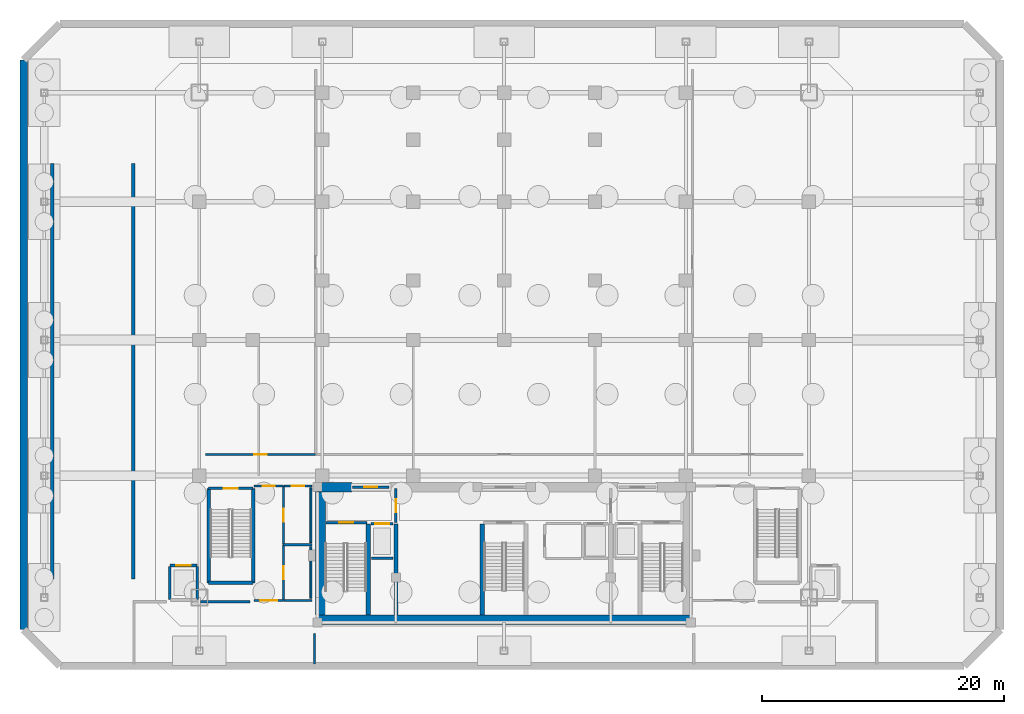
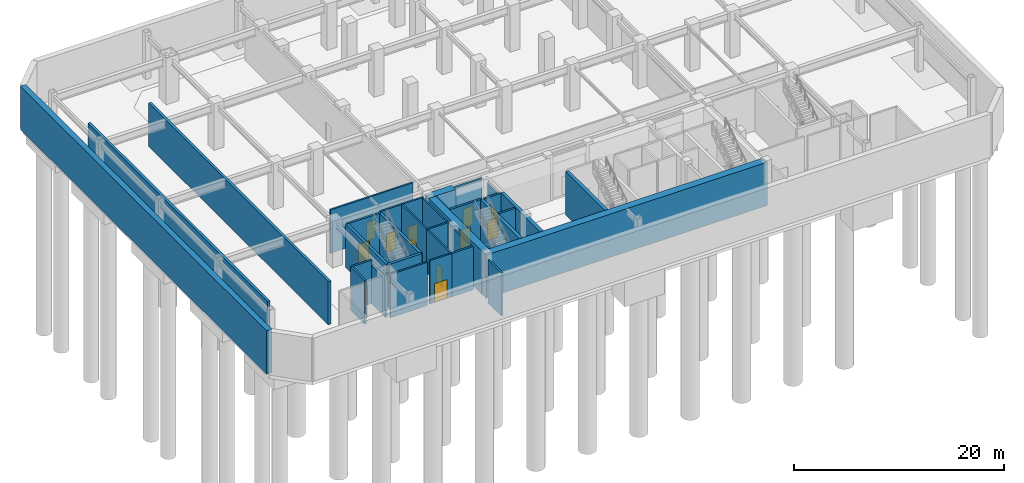
# One storey, part 4 of 10: 33 walls, 12 doors, 12 openings.
"""IFC4 building model written with IfcOpenShell, lengths in metres."""

from ifc_helpers import new_model, si_unit, direction, frame, frame_2d, origin, place, context, subcontext, project, spatial, rectangle, extrude, material, layer, layer_set, type_object, element, fill, save


model = new_model("IFC4")

# Units and contexts
model_context = context("Model", 3, precision=1e-05, world=origin(), true_north=direction((0.0, 1.0)))
body_context = subcontext(model_context, "Body", "Model", "MODEL_VIEW")
ifc_project = project(units=[si_unit("LENGTHUNIT", "METRE"), si_unit("AREAUNIT", "SQUARE_METRE"), si_unit("VOLUMEUNIT", "CUBIC_METRE"), si_unit("PLANEANGLEUNIT", "RADIAN"), si_unit("MASSUNIT", "GRAM", prefix="KILO")], contexts=[model_context])

# Site, building, storey
site_placement = place(None, origin())
site = spatial("IfcSite", under=ifc_project, at=site_placement, CompositionType="ELEMENT")
building_placement = place(site_placement, origin())
building = spatial("IfcBuilding", under=site, at=building_placement, Name="Ventersveld Concourse Tower", CompositionType="ELEMENT")
storey_placement = place(building_placement, frame((0.0, 0.0, -10.800048828125)))
storey = spatial("IfcBuildingStorey", under=building, at=storey_placement, Name="B02", CompositionType="ELEMENT", Elevation=-10.800048828125)

# Walls
ifc_material_1 = material(Name="Concrete C60/75", Category="concrete")
ifc_layer_1 = layer(ifc_material_1, 0.35009765625)
ifc_layer_set_1 = layer_set([ifc_layer_1], Name="Concrete C60/75")
wall_type_1 = type_object("IfcWallType", Name="WL-CORE-350L", PredefinedType="SHEAR", material=ifc_layer_set_1)
for number, where, z_axis, x_axis, name in (
    (1, (17.5400390625, 0.919921875, 0.0), (0.0, 0.0, 1.0), (0.0, 1.0, 0.0), "B02 Core Internal Shear Web W-ST1-E"),
    (2, (19.820068359375, 0.919921875, 0.0), (0.0, 0.0, 1.0), (0.0, 1.0, 0.0), "B02 Core Internal Shear Web W-FF1-E"),
    (3, (26.93994140625, 0.919921875, 0.0), (0.0, 0.0, 1.0), (0.0, 1.0, 0.0), "B02 Core Internal Shear Web W-ST3-W"),
):
    element("IfcWall", number, at=place(storey_placement, frame(where, z_axis=z_axis, x_axis=x_axis)), inside=storey, type_object=wall_type_1, Name=name, PredefinedType="SHEAR", context=body_context, shape_type="SweptSolid", body=[
        extrude(rectangle(XDim=7.5, YDim=0.35009765625, at=frame_2d((3.75, 0.0))), origin(), (0.0, 0.0, 1.0), 5.050048828125),
    ])
ifc_layer_2 = layer(ifc_material_1, 0.800048828125)
ifc_layer_set_2 = layer_set([ifc_layer_2], Name="Concrete C60/75")
wall_type_2 = type_object("IfcWallType", Name="WL-CORE-800", PredefinedType="SHEAR", material=ifc_layer_set_2)
wall_1_placement = place(storey_placement, frame((13.25, 0.52001953125, 0.0), z_axis=(0.0, 0.0, 1.0), x_axis=(1.0, 0.0, 0.0)))
element("IfcWall", 4, at=wall_1_placement, inside=storey, type_object=wall_type_2, Name="B02 Rear Core South Shear Wall", PredefinedType="SHEAR", context=body_context, shape_type="SweptSolid", body=[
    extrude(rectangle(XDim=31.0, YDim=0.800048828125, at=frame_2d((15.5, 0.0))), origin(), (0.0, 0.0, 1.0), 5.050048828125),
])
wall_2_placement = place(storey_placement, frame((13.60009765625, 0.919921875, 0.0), z_axis=(0.0, 0.0, 1.0), x_axis=(0.0, 1.0, 0.0)))
element("IfcWall", 5, at=wall_2_placement, inside=storey, type_object=wall_type_2, Name="B02 Rear Core West Shear Wall", PredefinedType="SHEAR", context=body_context, shape_type="SweptSolid", body=[
    extrude(rectangle(XDim=10.530029296875, YDim=0.800048828125, at=frame_2d((5.26513671875, 0.0))), origin(), (0.0, 0.0, 1.0), 5.050048828125),
])
wall_3_placement = place(storey_placement, frame((13.25, 11.449951171875, 0.0), z_axis=(0.0, 0.0, 1.0), x_axis=(1.0, 0.0, 0.0)))
element("IfcWall", 6, at=wall_3_placement, inside=storey, type_object=wall_type_2, Name="B02 Rear Core North Shear Wall NW", PredefinedType="SHEAR", context=body_context, shape_type="SweptSolid", body=[
    extrude(rectangle(XDim=2.949951171875, YDim=0.800048828125, at=frame_2d((1.47509765625, 0.0))), origin(), (0.0, 0.0, 1.0), 5.050048828125),
])

# Wall, opening, door
ifc_material_2 = material(Name="Fire-rated autoclaved aerated masonry blockwork", Category="masonry")
ifc_layer_3 = layer(ifc_material_2, 0.179931640625)
ifc_layer_set_3 = layer_set([ifc_layer_3], Name="Fire-rated autoclaved aerated masonry blockwork")
wall_type_3 = type_object("IfcWallType", Name="WL-CORR-180", PredefinedType="PARTITIONING", material=ifc_layer_set_3)
wall_4_placement = place(storey_placement, frame((4.10498046875, 14.14990234375, 0.0), z_axis=(0.0, 0.0, 1.0), x_axis=(1.0, 0.0, 0.0)))
wall_4 = element("IfcWall", 7, at=wall_4_placement, inside=storey, type_object=wall_type_3, Name="B02 Interior Partition SP-B02-ECOR-SP-B02-PLAT-W", PredefinedType="PARTITIONING", context=body_context, shape_type="SweptSolid", body=[
    extrude(rectangle(XDim=9.090087890625, YDim=0.179931640625, at=frame_2d((4.544921875, 0.0))), origin(), (0.0, 0.0, 1.0), 5.050048828125),
])
opening_1_placement = place(wall_4_placement, frame((4.044921875, 0.0, 0.0)))
opening_1 = element("IfcOpeningElement", 8, at=opening_1_placement, cuts=wall_4, Name="Opening FD3", PredefinedType="OPENING", context=body_context, shape_type="SweptSolid", body=[
    extrude(rectangle(XDim=1.0, YDim=2.14990234375, at=frame_2d((0.5, 1.074951171875))), frame((0.0, 0.10009765625, 0.0), z_axis=(0.0, -1.0, 0.0), x_axis=(1.0, 0.0, 0.0)), (0.0, 0.0, 1.0), 0.199951171875),
])
ifc_material_3 = material(Name="Solid-core hardwood veneer timber", Category="wood")
door_type_1 = type_object("IfcDoorType", Name="DR-FLAT-100", OperationType="NOTDEFINED", PredefinedType="DOOR", material=ifc_material_3)
door_1_placement = place(opening_1_placement, origin())
door_1 = element("IfcDoor", 9, at=door_1_placement, inside=storey, type_object=door_type_1, Name="B02 Interior Door SP-B02-ECOR to SP-B02-PLAT-W (D-B02-0012)", OperationType="SINGLE_SWING_RIGHT", OverallHeight=2.14990234375, OverallWidth=1.0, PredefinedType="DOOR", context=body_context, shape_type="SweptSolid", body=[
    extrude(rectangle(XDim=1.0, YDim=2.14990234375, at=frame_2d((0.5, 1.074951171875))), frame((0.0, 0.02490234375, 0.0), z_axis=(0.0, -1.0, 0.0), x_axis=(1.0, 0.0, 0.0)), (0.0, 0.0, 1.0), 0.050048828125),
])
fill(opening_1, door_1)

wall_5_placement = place(storey_placement, frame((8.10498046875, 11.550048828125, 0.0), z_axis=(0.0, 0.0, 1.0), x_axis=(1.0, 0.0, 0.0)))
wall_5 = element("IfcWall", 10, at=wall_5_placement, inside=storey, type_object=wall_type_3, Name="B02 Interior Partition SP-B02-ECOR-SP-B02-WCLOB", PredefinedType="PARTITIONING", context=body_context, shape_type="SweptSolid", body=[
    extrude(rectangle(XDim=2.43994140625, YDim=0.179931640625, at=frame_2d((1.219970703125, 0.0))), origin(), (0.0, 0.0, 1.0), 5.050048828125),
])
opening_2_placement = place(wall_5_placement, frame((0.719970703125, 0.0, 0.0)))
opening_2 = element("IfcOpeningElement", 11, at=opening_2_placement, cuts=wall_5, Name="Opening FD3", PredefinedType="OPENING", context=body_context, shape_type="SweptSolid", body=[
    extrude(rectangle(XDim=1.0, YDim=2.14990234375, at=frame_2d((0.5, 1.074951171875))), frame((0.0, 0.10009765625, 0.0), z_axis=(0.0, -1.0, 0.0), x_axis=(1.0, 0.0, 0.0)), (0.0, 0.0, 1.0), 0.199951171875),
])
door_2_placement = place(opening_2_placement, origin())
door_2 = element("IfcDoor", 12, at=door_2_placement, inside=storey, type_object=door_type_1, Name="B02 Interior Door SP-B02-ECOR to SP-B02-WCLOB (D-B02-0015)", OperationType="SINGLE_SWING_LEFT", OverallHeight=2.14990234375, OverallWidth=1.0, PredefinedType="DOOR", context=body_context, shape_type="SweptSolid", body=[
    extrude(rectangle(XDim=1.0, YDim=2.14990234375, at=frame_2d((0.5, 1.074951171875))), frame((0.0, 0.02490234375, 0.0), z_axis=(0.0, -1.0, 0.0), x_axis=(1.0, 0.0, 0.0)), (0.0, 0.0, 1.0), 0.050048828125),
])
fill(opening_2, door_2)

wall_6_placement = place(storey_placement, frame((10.574951171875, 11.550048828125, 0.0), z_axis=(0.0, 0.0, 1.0), x_axis=(1.0, 0.0, 0.0)))
wall_6 = element("IfcWall", 13, at=wall_6_placement, inside=storey, type_object=wall_type_3, Name="B02 Interior Partition SP-B02-ECOR-SP-B02-AWC", PredefinedType="PARTITIONING", context=body_context, shape_type="SweptSolid", body=[
    extrude(rectangle(XDim=2.320068359375, YDim=0.179931640625, at=frame_2d((1.16015625, 0.0))), origin(), (0.0, 0.0, 1.0), 5.050048828125),
])
opening_3_placement = place(wall_6_placement, frame((0.635009765625, 0.0, 0.0)))
opening_3 = element("IfcOpeningElement", 14, at=opening_3_placement, cuts=wall_6, Name="Opening ID3", PredefinedType="OPENING", context=body_context, shape_type="SweptSolid", body=[
    extrude(rectangle(XDim=1.050048828125, YDim=2.14990234375, at=frame_2d((0.52490234375, 1.074951171875))), frame((0.0, 0.10009765625, 0.0), z_axis=(0.0, -1.0, 0.0), x_axis=(1.0, 0.0, 0.0)), (0.0, 0.0, 1.0), 0.199951171875),
])
door_type_2 = type_object("IfcDoorType", Name="DR-AWC-105", OperationType="NOTDEFINED", PredefinedType="DOOR", material=ifc_material_3)
door_3_placement = place(opening_3_placement, origin())
door_3 = element("IfcDoor", 15, at=door_3_placement, inside=storey, type_object=door_type_2, Name="B02 Interior Door SP-B02-ECOR to SP-B02-AWC (WD-B02-0016)", OperationType="SINGLE_SWING_RIGHT", OverallHeight=2.14990234375, OverallWidth=1.050048828125, PredefinedType="DOOR", context=body_context, shape_type="SweptSolid", body=[
    extrude(rectangle(XDim=1.050048828125, YDim=2.14990234375, at=frame_2d((0.52490234375, 1.074951171875))), frame((0.0, 0.02490234375, 0.0), z_axis=(0.0, -1.0, 0.0), x_axis=(1.0, 0.0, 0.0)), (0.0, 0.0, 1.0), 0.050048828125),
])
fill(opening_3, door_3)

wall_7_placement = place(storey_placement, frame((10.5400390625, 6.705078125, 0.0), z_axis=(0.0, 0.0, 1.0), x_axis=(0.0, 1.0, 0.0)))
wall_7 = element("IfcWall", 16, at=wall_7_placement, inside=storey, type_object=wall_type_3, Name="B02 Interior Partition SP-B02-WCLOB-SP-B02-AWC", PredefinedType="PARTITIONING", context=body_context, shape_type="SweptSolid", body=[
    extrude(rectangle(XDim=4.83984375, YDim=0.179931640625, at=frame_2d((2.419921875, 0.0))), origin(), (0.0, 0.0, 1.0), 5.050048828125),
])
opening_4_placement = place(wall_7_placement, frame((1.89501953125, 0.0, 0.0)))
opening_4 = element("IfcOpeningElement", 17, at=opening_4_placement, cuts=wall_7, Name="Opening ID3", PredefinedType="OPENING", context=body_context, shape_type="SweptSolid", body=[
    extrude(rectangle(XDim=1.050048828125, YDim=2.14990234375, at=frame_2d((0.52490234375, 1.074951171875))), frame((0.0, 0.10009765625, 0.0), z_axis=(0.0, -1.0, 0.0), x_axis=(1.0, 0.0, 0.0)), (0.0, 0.0, 1.0), 0.199951171875),
])
door_4_placement = place(opening_4_placement, origin())
door_4 = element("IfcDoor", 18, at=door_4_placement, inside=storey, type_object=door_type_2, Name="B02 Interior Door SP-B02-WCLOB to SP-B02-AWC (WD-B02-0020)", OperationType="SINGLE_SWING_RIGHT", OverallHeight=2.14990234375, OverallWidth=1.050048828125, PredefinedType="DOOR", context=body_context, shape_type="SweptSolid", body=[
    extrude(rectangle(XDim=1.050048828125, YDim=2.14990234375, at=frame_2d((0.52490234375, 1.074951171875))), frame((0.0, 0.02490234375, 0.0), z_axis=(0.0, -1.0, 0.0), x_axis=(1.0, 0.0, 0.0)), (0.0, 0.0, 1.0), 0.050048828125),
])
fill(opening_4, door_4)

wall_8_placement = place(storey_placement, frame((10.5400390625, 2.10498046875, 0.0), z_axis=(0.0, 0.0, 1.0), x_axis=(0.0, 1.0, 0.0)))
wall_8 = element("IfcWall", 19, at=wall_8_placement, inside=storey, type_object=wall_type_3, Name="B02 Interior Partition SP-B02-WCLOB-SP-B02-FWC", PredefinedType="PARTITIONING", context=body_context, shape_type="SweptSolid", body=[
    extrude(rectangle(XDim=4.570068359375, YDim=0.179931640625, at=frame_2d((2.28515625, 0.0))), origin(), (0.0, 0.0, 1.0), 5.050048828125),
])
opening_5_placement = place(wall_8_placement, frame((1.760009765625, 0.0, 0.0)))
opening_5 = element("IfcOpeningElement", 20, at=opening_5_placement, cuts=wall_8, Name="Opening ID3", PredefinedType="OPENING", context=body_context, shape_type="SweptSolid", body=[
    extrude(rectangle(XDim=1.050048828125, YDim=2.14990234375, at=frame_2d((0.52490234375, 1.074951171875))), frame((0.0, 0.10009765625, 0.0), z_axis=(0.0, -1.0, 0.0), x_axis=(1.0, 0.0, 0.0)), (0.0, 0.0, 1.0), 0.199951171875),
])
door_5_placement = place(opening_5_placement, origin())
door_5 = element("IfcDoor", 21, at=door_5_placement, inside=storey, type_object=door_type_2, Name="B02 Interior Door SP-B02-WCLOB to SP-B02-FWC (WD-B02-0021)", OperationType="SINGLE_SWING_LEFT", OverallHeight=2.14990234375, OverallWidth=1.050048828125, PredefinedType="DOOR", context=body_context, shape_type="SweptSolid", body=[
    extrude(rectangle(XDim=1.050048828125, YDim=2.14990234375, at=frame_2d((0.52490234375, 1.074951171875))), frame((0.0, 0.02490234375, 0.0), z_axis=(0.0, -1.0, 0.0), x_axis=(1.0, 0.0, 0.0)), (0.0, 0.0, 1.0), 0.050048828125),
])
fill(opening_5, door_5)

wall_9_placement = place(storey_placement, frame((8.10498046875, 2.10009765625, 0.0), z_axis=(0.0, 0.0, 1.0), x_axis=(1.0, 0.0, 0.0)))
wall_9 = element("IfcWall", 22, at=wall_9_placement, inside=storey, type_object=wall_type_3, Name="B02 Interior Partition SP-B02-WCLOB-SP-B02-PUMP", PredefinedType="PARTITIONING", context=body_context, shape_type="SweptSolid", body=[
    extrude(rectangle(XDim=2.43994140625, YDim=0.179931640625, at=frame_2d((1.219970703125, 0.0))), origin(), (0.0, 0.0, 1.0), 5.050048828125),
])
opening_6_placement = place(wall_9_placement, frame((0.52001953125, 0.0, 0.0)))
opening_6 = element("IfcOpeningElement", 23, at=opening_6_placement, cuts=wall_9, Name="Opening FD4", PredefinedType="OPENING", context=body_context, shape_type="SweptSolid", body=[
    extrude(rectangle(XDim=1.39990234375, YDim=2.199951171875, at=frame_2d((0.699951171875, 1.10009765625))), frame((0.0, 0.10009765625, 0.0), z_axis=(0.0, -1.0, 0.0), x_axis=(1.0, 0.0, 0.0)), (0.0, 0.0, 1.0), 0.199951171875),
])
ifc_material_4 = material(Name="Galvanised painted steel", Category="steel")
door_type_3 = type_object("IfcDoorType", Name="DR-PLANT-140", OperationType="DOUBLE_DOOR_SINGLE_SWING", PredefinedType="DOOR", material=ifc_material_4)
door_6_placement = place(opening_6_placement, origin())
door_6 = element("IfcDoor", 24, at=door_6_placement, inside=storey, type_object=door_type_3, Name="B02 Interior Door SP-B02-WCLOB to SP-B02-PUMP (FD-B02-0022)", OperationType="DOUBLE_DOOR_SINGLE_SWING", OverallHeight=2.199951171875, OverallWidth=1.39990234375, PredefinedType="DOOR", context=body_context, shape_type="SweptSolid", body=[
    extrude(rectangle(XDim=1.39990234375, YDim=2.199951171875, at=frame_2d((0.699951171875, 1.10009765625))), frame((0.0, 0.02490234375, 0.0), z_axis=(0.0, -1.0, 0.0), x_axis=(1.0, 0.0, 0.0)), (0.0, 0.0, 1.0), 0.050048828125),
])
fill(opening_6, door_6)

# Walls
wall_10_placement = place(storey_placement, frame((13.10009765625, -3.139892578125, 0.0), z_axis=(0.0, 0.0, 1.0), x_axis=(0.0, 1.0, 0.0)))
element("IfcWall", 25, at=wall_10_placement, inside=storey, type_object=wall_type_3, Name="B02 Room Enclosure Wall SP-B02-PUMP", PredefinedType="PARTITIONING", context=body_context, shape_type="SweptSolid", body=[
    extrude(rectangle(XDim=2.514892578125, YDim=0.179931640625, at=frame_2d((1.25732421875, 0.0))), origin(), (0.0, 0.0, 1.0), 5.050048828125),
])
wall_11_placement = place(storey_placement, frame((7.79248046875, 2.0, 0.0), z_axis=(0.0, 0.0, 1.0), x_axis=(-1.0, 0.0, 0.0)))
element("IfcWall", 26, at=wall_11_placement, inside=storey, type_object=wall_type_3, Name="B02 Room Enclosure Wall SP-B02-PUMP", PredefinedType="PARTITIONING", context=body_context, shape_type="SweptSolid", body=[
    extrude(rectangle(XDim=4.078369140625, YDim=0.179931640625, at=frame_2d((2.0390625, 0.0))), origin(), (0.0, 0.0, 1.0), 5.050048828125),
])
ifc_layer_4 = layer(ifc_material_2, 0.199951171875)
ifc_layer_set_4 = layer_set([ifc_layer_4], Name="Fire-rated autoclaved aerated masonry blockwork")
wall_type_4 = type_object("IfcWallType", Name="WL-DEMISE-200", PredefinedType="PARTITIONING", material=ifc_layer_set_4)
wall_12_placement = place(storey_placement, frame((10.534912109375, 6.7099609375, 0.0), z_axis=(0.0, 0.0, 1.0), x_axis=(1.0, 0.0, 0.0)))
element("IfcWall", 27, at=wall_12_placement, inside=storey, type_object=wall_type_4, Name="B02 Interior Partition SP-B02-AWC-SP-B02-FWC", PredefinedType="PARTITIONING", context=body_context, shape_type="SweptSolid", body=[
    extrude(rectangle(XDim=2.360107421875, YDim=0.199951171875, at=frame_2d((1.18017578125, 0.0))), origin(), (0.0, 0.0, 1.0), 5.050048828125),
])
wall_13_placement = place(storey_placement, frame((10.574951171875, 2.10009765625, 0.0), z_axis=(0.0, 0.0, 1.0), x_axis=(1.0, 0.0, 0.0)))
element("IfcWall", 28, at=wall_13_placement, inside=storey, type_object=wall_type_4, Name="B02 Interior Partition SP-B02-FWC-SP-B02-PUMP", PredefinedType="PARTITIONING", context=body_context, shape_type="SweptSolid", body=[
    extrude(rectangle(XDim=2.320068359375, YDim=0.199951171875, at=frame_2d((1.16015625, 0.0))), origin(), (0.0, 0.0, 1.0), 5.050048828125),
])
ifc_layer_5 = layer(ifc_material_2, 0.219970703125)
ifc_layer_set_5 = layer_set([ifc_layer_5], Name="Fire-rated autoclaved aerated masonry blockwork")
wall_type_5 = type_object("IfcWallType", Name="WL-HOIST-220", PredefinedType="SOLIDWALL", material=ifc_layer_set_5)
wall_14_placement = place(storey_placement, frame((17.800048828125, 5.590087890625, 0.0), z_axis=(0.0, 0.0, 1.0), x_axis=(1.0, 0.0, 0.0)))
element("IfcWall", 29, at=wall_14_placement, inside=storey, type_object=wall_type_5, Name="B02 Lift Hoistway Back Wall FFL-01", PredefinedType="SOLIDWALL", context=body_context, shape_type="SweptSolid", body=[
    extrude(rectangle(XDim=1.780029296875, YDim=0.219970703125, at=frame_2d((0.89013671875, 0.0))), origin(), (0.0, 0.0, 1.0), 5.050048828125),
])

# Wall, opening, door
wall_15_placement = place(storey_placement, frame((17.780029296875, 8.429931640625, 0.0), z_axis=(0.0, 0.0, 1.0), x_axis=(1.0, 0.0, 0.0)))
wall_15 = element("IfcWall", 30, at=wall_15_placement, inside=storey, type_object=wall_type_5, Name="B02 Lift Hoistway Front Wall FFL-01", PredefinedType="SOLIDWALL", context=body_context, shape_type="SweptSolid", body=[
    extrude(rectangle(XDim=1.820068359375, YDim=0.219970703125, at=frame_2d((0.91015625, 0.0))), origin(), (0.0, 0.0, 1.0), 5.050048828125),
])
opening_7_placement = place(wall_15_placement, frame((0.35009765625, 0.0, 0.0)))
opening_7 = element("IfcOpeningElement", 31, at=opening_7_placement, cuts=wall_15, Name="Opening LD1", PredefinedType="OPENING", context=body_context, shape_type="SweptSolid", body=[
    extrude(rectangle(XDim=1.1201171875, YDim=2.25, at=frame_2d((0.56005859375, 1.125))), frame((0.0, 0.1201171875, 0.0), z_axis=(0.0, -1.0, 0.0), x_axis=(1.0, 0.0, 0.0)), (0.0, 0.0, 1.0), 0.239990234375),
])
ifc_material_5 = material(Name="Brushed stainless steel 316", Category="steel")
door_type_4 = type_object("IfcDoorType", Name="LD-FF-112", OperationType="SLIDING_TO_LEFT", PredefinedType="DOOR", material=ifc_material_5)
door_7_placement = place(opening_7_placement, origin())
door_7 = element("IfcDoor", 32, at=door_7_placement, inside=storey, type_object=door_type_4, Name="B02 Lift landing door FFL-01 (LD-B02-FFL-01)", OperationType="SLIDING_TO_LEFT", OverallHeight=2.25, OverallWidth=1.1201171875, PredefinedType="DOOR", context=body_context, shape_type="SweptSolid", body=[
    extrude(rectangle(XDim=1.1201171875, YDim=2.25, at=frame_2d((0.56005859375, 1.125))), frame((0.0, 0.02490234375, 0.0), z_axis=(0.0, -1.0, 0.0), x_axis=(1.0, 0.0, 0.0)), (0.0, 0.0, 1.0), 0.050048828125),
])
fill(opening_7, door_7)

# Walls
wall_16_placement = place(storey_placement, frame((1.159912109375, 2.199951171875, 0.0), z_axis=(0.0, 0.0, 1.0), x_axis=(0.0, 1.0, 0.0)))
element("IfcWall", 33, at=wall_16_placement, inside=storey, type_object=wall_type_5, Name="B02 Lift Hoistway Side Wall SL-01W", PredefinedType="SOLIDWALL", context=body_context, shape_type="SweptSolid", body=[
    extrude(rectangle(XDim=2.699951171875, YDim=0.219970703125, at=frame_2d((1.35009765625, 0.0))), origin(), (0.0, 0.0, 1.0), 5.050048828125),
])
wall_17_placement = place(storey_placement, frame((3.43994140625, 2.199951171875, 0.0), z_axis=(0.0, 0.0, 1.0), x_axis=(0.0, 1.0, 0.0)))
element("IfcWall", 34, at=wall_17_placement, inside=storey, type_object=wall_type_5, Name="B02 Lift Hoistway Side Wall SL-01E", PredefinedType="SOLIDWALL", context=body_context, shape_type="SweptSolid", body=[
    extrude(rectangle(XDim=2.699951171875, YDim=0.219970703125, at=frame_2d((1.35009765625, 0.0))), origin(), (0.0, 0.0, 1.0), 4.432861328125),
])

# Wall, opening, door
wall_18_placement = place(storey_placement, frame((1.179931640625, 4.97998046875, 0.0), z_axis=(0.0, 0.0, 1.0), x_axis=(1.0, 0.0, 0.0)))
wall_18 = element("IfcWall", 35, at=wall_18_placement, inside=storey, type_object=wall_type_5, Name="B02 Lift Hoistway Front Wall SL-01", PredefinedType="SOLIDWALL", context=body_context, shape_type="SweptSolid", body=[
    extrude(rectangle(XDim=2.239990234375, YDim=0.219970703125, at=frame_2d((1.1201171875, 0.0))), origin(), (0.0, 0.0, 1.0), 5.050048828125),
])
opening_8_placement = place(wall_18_placement, frame((0.530029296875, 0.0, 0.0)))
opening_8 = element("IfcOpeningElement", 36, at=opening_8_placement, cuts=wall_18, Name="Opening LD2", PredefinedType="OPENING", context=body_context, shape_type="SweptSolid", body=[
    extrude(rectangle(XDim=1.179931640625, YDim=2.199951171875, at=frame_2d((0.58984375, 1.10009765625))), frame((0.0, 0.1201171875, 0.0), z_axis=(0.0, -1.0, 0.0), x_axis=(1.0, 0.0, 0.0)), (0.0, 0.0, 1.0), 0.239990234375),
])
door_type_5 = type_object("IfcDoorType", Name="LD-PAX-118", OperationType="SLIDING_TO_LEFT", PredefinedType="DOOR", material=ifc_material_5)
door_8_placement = place(opening_8_placement, origin())
door_8 = element("IfcDoor", 37, at=door_8_placement, inside=storey, type_object=door_type_5, Name="B02 Lift landing door SL-01 (LD-B02-SL-01)", OperationType="SLIDING_TO_RIGHT", OverallHeight=2.199951171875, OverallWidth=1.179931640625, PredefinedType="DOOR", context=body_context, shape_type="SweptSolid", body=[
    extrude(rectangle(XDim=1.179931640625, YDim=2.199951171875, at=frame_2d((0.58984375, 1.10009765625))), frame((0.0, 0.02490234375, 0.0), z_axis=(0.0, -1.0, 0.0), x_axis=(1.0, 0.0, 0.0)), (0.0, 0.0, 1.0), 0.050048828125),
])
fill(opening_8, door_8)

wall_19_placement = place(storey_placement, frame((14.0400390625, 8.52001953125, 0.0), z_axis=(0.0, 0.0, 1.0), x_axis=(1.0, 0.0, 0.0)))
wall_19 = element("IfcWall", 38, at=wall_19_placement, inside=storey, type_object=wall_type_5, Name="B02 Escape Stair ST01 Fire Wall", PredefinedType="SOLIDWALL", context=body_context, shape_type="SweptSolid", body=[
    extrude(rectangle(XDim=3.39990234375, YDim=0.219970703125, at=frame_2d((1.699951171875, 0.0))), origin(), (0.0, 0.0, 1.0), 5.050048828125),
])
opening_9_placement = place(wall_19_placement, frame((1.125, 0.0, 0.0)))
opening_9 = element("IfcOpeningElement", 39, at=opening_9_placement, cuts=wall_19, Name="Opening FD1", PredefinedType="OPENING", context=body_context, shape_type="SweptSolid", body=[
    extrude(rectangle(XDim=1.14990234375, YDim=2.199951171875, at=frame_2d((0.574951171875, 1.10009765625))), frame((0.0, 0.1201171875, 0.0), z_axis=(0.0, -1.0, 0.0), x_axis=(1.0, 0.0, 0.0)), (0.0, 0.0, 1.0), 0.239990234375),
])
door_type_6 = type_object("IfcDoorType", Name="DR-STAIR-115", OperationType="NOTDEFINED", PredefinedType="DOOR", material=ifc_material_4)
door_9_placement = place(opening_9_placement, origin())
door_9 = element("IfcDoor", 40, at=door_9_placement, inside=storey, type_object=door_type_6, Name="B02 Escape Stair Door ST01 (SD-B02-0001)", OperationType="SINGLE_SWING_LEFT", OverallHeight=2.199951171875, OverallWidth=1.14990234375, PredefinedType="DOOR", context=body_context, shape_type="SweptSolid", body=[
    extrude(rectangle(XDim=1.14990234375, YDim=2.199951171875, at=frame_2d((0.574951171875, 1.10009765625))), frame((0.0, 0.02490234375, 0.0), z_axis=(0.0, -1.0, 0.0), x_axis=(1.0, 0.0, 0.0)), (0.0, 0.0, 1.0), 0.050048828125),
])
fill(opening_9, door_9)

wall_20_placement = place(storey_placement, frame((4.360107421875, 11.35009765625, 0.0), z_axis=(0.0, 0.0, 1.0), x_axis=(1.0, 0.0, 0.0)))
wall_20 = element("IfcWall", 41, at=wall_20_placement, inside=storey, type_object=wall_type_5, Name="B02 Escape Stair ST04 Fire Wall", PredefinedType="SOLIDWALL", context=body_context, shape_type="SweptSolid", body=[
    extrude(rectangle(XDim=3.679931640625, YDim=0.219970703125, at=frame_2d((1.83984375, 0.0))), origin(), (0.0, 0.0, 1.0), 5.050048828125),
])
opening_10_placement = place(wall_20_placement, frame((1.264892578125, 0.0, 0.0)))
opening_10 = element("IfcOpeningElement", 42, at=opening_10_placement, cuts=wall_20, Name="Opening FD1", PredefinedType="OPENING", context=body_context, shape_type="SweptSolid", body=[
    extrude(rectangle(XDim=1.14990234375, YDim=2.199951171875, at=frame_2d((0.574951171875, 1.10009765625))), frame((0.0, 0.1201171875, 0.0), z_axis=(0.0, -1.0, 0.0), x_axis=(1.0, 0.0, 0.0)), (0.0, 0.0, 1.0), 0.239990234375),
])
door_10_placement = place(opening_10_placement, origin())
door_10 = element("IfcDoor", 43, at=door_10_placement, inside=storey, type_object=door_type_6, Name="B02 Escape Stair Door ST04 (SD-B02-0004)", OperationType="SINGLE_SWING_RIGHT", OverallHeight=2.199951171875, OverallWidth=1.14990234375, PredefinedType="DOOR", context=body_context, shape_type="SweptSolid", body=[
    extrude(rectangle(XDim=1.14990234375, YDim=2.199951171875, at=frame_2d((0.574951171875, 1.10009765625))), frame((0.0, 0.02490234375, 0.0), z_axis=(0.0, -1.0, 0.0), x_axis=(1.0, 0.0, 0.0)), (0.0, 0.0, 1.0), 0.050048828125),
])
fill(opening_10, door_10)

wall_21_placement = place(storey_placement, frame((19.820068359375, 8.52001953125, 0.0), z_axis=(0.0, 0.0, 1.0), x_axis=(0.0, 1.0, 0.0)))
wall_21 = element("IfcWall", 44, at=wall_21_placement, inside=storey, type_object=wall_type_5, Name="B02 Firefighting Lobby Smoke-Stop Wall FFLW-SEP", PredefinedType="SOLIDWALL", context=body_context, shape_type="SweptSolid", body=[
    extrude(rectangle(XDim=2.800048828125, YDim=0.219970703125, at=frame_2d((1.39990234375, 0.0))), origin(), (0.0, 0.0, 1.0), 4.505615234375),
])
opening_11_placement = place(wall_21_placement, frame((0.85009765625, 0.0, 0.0)))
opening_11 = element("IfcOpeningElement", 45, at=opening_11_placement, cuts=wall_21, Name="Opening FD2", PredefinedType="OPENING", context=body_context, shape_type="SweptSolid", body=[
    extrude(rectangle(XDim=1.10009765625, YDim=2.199951171875, at=frame_2d((0.550048828125, 1.10009765625))), frame((0.0, 0.1201171875, 0.0), z_axis=(0.0, -1.0, 0.0), x_axis=(1.0, 0.0, 0.0)), (0.0, 0.0, 1.0), 0.239990234375),
])
door_type_7 = type_object("IfcDoorType", Name="DR-FFL-110", OperationType="NOTDEFINED", PredefinedType="DOOR", material=ifc_material_4)
door_11_placement = place(opening_11_placement, origin())
door_11 = element("IfcDoor", 46, at=door_11_placement, inside=storey, type_object=door_type_7, Name="B02 Firefighting Lobby Door FFLW-SEP (FD-B02-0006)", OperationType="SINGLE_SWING_LEFT", OverallHeight=2.199951171875, OverallWidth=1.10009765625, PredefinedType="DOOR", context=body_context, shape_type="SweptSolid", body=[
    extrude(rectangle(XDim=1.10009765625, YDim=2.199951171875, at=frame_2d((0.550048828125, 1.10009765625))), frame((0.0, 0.02490234375, 0.0), z_axis=(0.0, -1.0, 0.0), x_axis=(1.0, 0.0, 0.0)), (0.0, 0.0, 1.0), 0.050048828125),
])
fill(opening_11, door_11)

wall_22_placement = place(storey_placement, frame((16.22998046875, 11.449951171875, 0.0), z_axis=(0.0, 0.0, 1.0), x_axis=(1.0, 0.0, 0.0)))
wall_22 = element("IfcWall", 47, at=wall_22_placement, inside=storey, type_object=wall_type_5, Name="B02 Core North Fire Portal FFLW-OUT", PredefinedType="SOLIDWALL", context=body_context, shape_type="SweptSolid", body=[
    extrude(rectangle(XDim=3.0400390625, YDim=0.219970703125, at=frame_2d((1.52001953125, 0.0))), origin(), (0.0, 0.0, 1.0), 5.050048828125),
])
opening_12_placement = place(wall_22_placement, frame((0.969970703125, 0.0, 0.0)))
opening_12 = element("IfcOpeningElement", 48, at=opening_12_placement, cuts=wall_22, Name="Opening FD2", PredefinedType="OPENING", context=body_context, shape_type="SweptSolid", body=[
    extrude(rectangle(XDim=1.10009765625, YDim=2.199951171875, at=frame_2d((0.550048828125, 1.10009765625))), frame((0.0, 0.1201171875, 0.0), z_axis=(0.0, -1.0, 0.0), x_axis=(1.0, 0.0, 0.0)), (0.0, 0.0, 1.0), 0.239990234375),
])
door_12_placement = place(opening_12_placement, origin())
door_12 = element("IfcDoor", 49, at=door_12_placement, inside=storey, type_object=door_type_7, Name="B02 Core Lobby Fire Door FFLW-OUT (FD-B02-0008)", OperationType="SINGLE_SWING_RIGHT", OverallHeight=2.199951171875, OverallWidth=1.10009765625, PredefinedType="DOOR", context=body_context, shape_type="SweptSolid", body=[
    extrude(rectangle(XDim=1.10009765625, YDim=2.199951171875, at=frame_2d((0.550048828125, 1.10009765625))), frame((0.0, 0.02490234375, 0.0), z_axis=(0.0, -1.0, 0.0), x_axis=(1.0, 0.0, 0.0)), (0.0, 0.0, 1.0), 0.050048828125),
])
fill(opening_12, door_12)

# Walls
ifc_material_6 = material(Name="Concrete C50/60", Category="concrete")
ifc_layer_6 = layer(ifc_material_6, 0.60009765625)
ifc_layer_set_6 = layer_set([ifc_layer_6], Name="Concrete C50/60")
wall_type_6 = type_object("IfcWallType", Name="WL-RET-600", PredefinedType="SOLIDWALL", material=ifc_layer_set_6)
wall_23_placement = place(storey_placement, frame((-10.89990234375, 46.699951171875, 0.0), z_axis=(0.0, 0.0, 1.0), x_axis=(0.0, -1.0, 0.0)))
element("IfcWall", 50, at=wall_23_placement, inside=storey, type_object=wall_type_6, Name="B02 Basement Retaining Wall 07", PredefinedType="SOLIDWALL", context=body_context, shape_type="SweptSolid", body=[
    extrude(rectangle(XDim=47.0, YDim=0.60009765625, at=frame_2d((23.5, 0.0))), origin(), (0.0, 0.0, 1.0), 5.050048828125),
])
ifc_layer_7 = layer(ifc_material_6, 0.280029296875)
ifc_layer_set_7 = layer_set([ifc_layer_7], Name="Concrete C50/60")
wall_type_7 = type_object("IfcWallType", Name="WL-SHAFT-280", PredefinedType="SHEAR", material=ifc_layer_set_7)
for number, where, z_axis, x_axis, name in (
    (51, (-8.5400390625, 3.8798828125, 0.0), (0.0, 0.0, 1.0), (0.0, 1.0, 0.0), "B02 Ramp Structural Shaft Wall RMPW-W"),
    (52, (-1.860107421875, 3.8798828125, 0.0), (0.0, 0.0, 1.0), (0.0, 1.0, 0.0), "B02 Ramp Structural Shaft Wall RMPW-E"),
):
    element("IfcWall", number, at=place(storey_placement, frame(where, z_axis=z_axis, x_axis=x_axis)), inside=storey, type_object=wall_type_7, Name=name, PredefinedType="SHEAR", context=body_context, shape_type="SweptSolid", body=[
        extrude(rectangle(XDim=34.27001953125, YDim=0.280029296875, at=frame_2d((17.135009765625, 0.0))), origin(), (0.0, 0.0, 1.0), 5.050048828125),
    ])
wall_24_placement = place(storey_placement, frame((4.360107421875, 3.56005859375, 0.0), z_axis=(0.0, 0.0, 1.0), x_axis=(1.0, 0.0, 0.0)))
element("IfcWall", 53, at=wall_24_placement, inside=storey, type_object=wall_type_7, Name="B02 ST04 Structural Shaft Wall S", PredefinedType="SHEAR", context=body_context, shape_type="SweptSolid", body=[
    extrude(rectangle(XDim=3.679931640625, YDim=0.280029296875, at=frame_2d((1.83984375, 0.0))), origin(), (0.0, 0.0, 1.0), 5.050048828125),
])
for number, where, z_axis, x_axis, name in (
    (54, (4.360107421875, 3.56005859375, 0.0), (0.0, 0.0, 1.0), (0.0, 1.0, 0.0), "B02 ST04 Structural Shaft Wall W"),
    (55, (8.0400390625, 3.56005859375, 0.0), (0.0, 0.0, 1.0), (0.0, 1.0, 0.0), "B02 ST04 Structural Shaft Wall E"),
):
    element("IfcWall", number, at=place(storey_placement, frame(where, z_axis=z_axis, x_axis=x_axis)), inside=storey, type_object=wall_type_7, Name=name, PredefinedType="SHEAR", context=body_context, shape_type="SweptSolid", body=[
        extrude(rectangle(XDim=7.7900390625, YDim=0.280029296875, at=frame_2d((3.89501953125, 0.0))), origin(), (0.0, 0.0, 1.0), 5.050048828125),
    ])
ifc_material_7 = material(Name="Autoclaved aerated masonry blockwork", Category="masonry")
ifc_layer_8 = layer(ifc_material_7, 0.1650390625)
ifc_layer_set_8 = layer_set([ifc_layer_8], Name="Autoclaved aerated masonry blockwork")
wall_type_8 = type_object("IfcWallType", Name="WL-WET-165", PredefinedType="PLUMBINGWALL", material=ifc_layer_set_8)
wall_25_placement = place(storey_placement, frame((12.800048828125, 6.875, 0.0), z_axis=(0.0, 0.0, 1.0), x_axis=(0.0, 1.0, 0.0)))
element("IfcWall", 56, at=wall_25_placement, inside=storey, type_object=wall_type_8, Name="B02 Room Enclosure Wall SP-B02-AWC", PredefinedType="PLUMBINGWALL", context=body_context, shape_type="SweptSolid", body=[
    extrude(rectangle(XDim=4.510009765625, YDim=0.1650390625, at=frame_2d((2.2548828125, 0.0))), origin(), (0.0, 0.0, 1.0), 5.050048828125),
])
wall_26_placement = place(storey_placement, frame((12.800048828125, 2.264892578125, 0.0), z_axis=(0.0, 0.0, 1.0), x_axis=(0.0, 1.0, 0.0)))
element("IfcWall", 57, at=wall_26_placement, inside=storey, type_object=wall_type_8, Name="B02 Room Enclosure Wall SP-B02-FWC", PredefinedType="PLUMBINGWALL", context=body_context, shape_type="SweptSolid", body=[
    extrude(rectangle(XDim=4.280029296875, YDim=0.1650390625, at=frame_2d((2.14013671875, 0.0))), origin(), (0.0, 0.0, 1.0), 5.050048828125),
])

save(model, "model.ifc")
